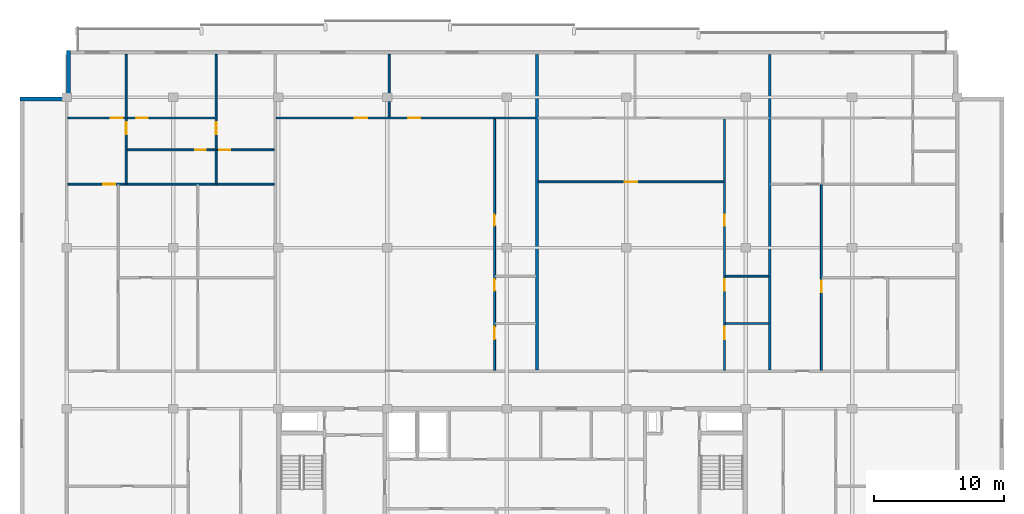
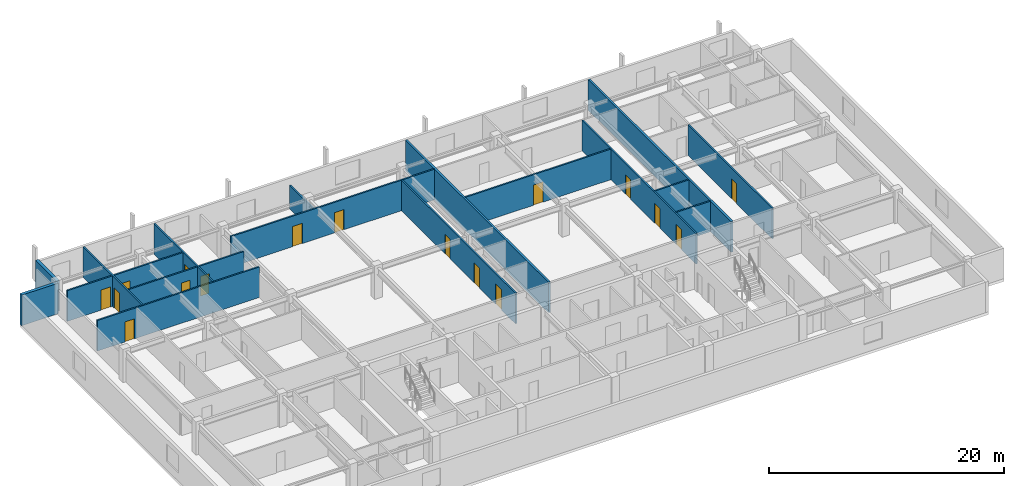
# One storey, part 6 of 10: 18 walls, 17 doors, 17 openings.
"""IFC4 building model written with IfcOpenShell, lengths in metres."""

from ifc_helpers import new_model, si_unit, direction, frame, frame_2d, origin, place, context, subcontext, project, spatial, rectangle, extrude, material, layer, layer_set, type_object, element, fill, save


model = new_model("IFC4")

# Units and contexts
model_context = context("Model", 3, precision=1e-05, world=origin(), true_north=direction((0.0, 1.0)))
body_context = subcontext(model_context, "Body", "Model", "MODEL_VIEW")
ifc_project = project(units=[si_unit("LENGTHUNIT", "METRE"), si_unit("AREAUNIT", "SQUARE_METRE"), si_unit("VOLUMEUNIT", "CUBIC_METRE"), si_unit("PLANEANGLEUNIT", "RADIAN"), si_unit("MASSUNIT", "GRAM", prefix="KILO")], contexts=[model_context])

# Site, building, storey
site_placement = place(None, origin())
site = spatial("IfcSite", under=ifc_project, at=site_placement, CompositionType="ELEMENT")
building_placement = place(site_placement, origin())
building = spatial("IfcBuilding", under=site, at=building_placement, Name="Korimba Cascade Residences", CompositionType="ELEMENT")
storey_placement = place(building_placement, frame((0.0, 0.0, 239.0)))
storey = spatial("IfcBuildingStorey", under=building, at=storey_placement, Name="L69", CompositionType="ELEMENT", Elevation=239.0)

# Walls
ifc_material_1 = material(Name="Precast concrete C40/50", Category="concrete")
ifc_layer_1 = layer(ifc_material_1, 0.300048828125)
ifc_layer_set_1 = layer_set([ifc_layer_1], Name="Precast concrete C40/50")
wall_type_1 = type_object("IfcWallType", Name="EW-STONE-300", PredefinedType="STANDARD", material=ifc_layer_set_1)
for number, where, z_axis, x_axis, name in (
    (1, (59.949951171875, 94.800048828125, 0.0), (0.0, 0.0, 1.0), (0.0, -1.0, 0.0), "L69 T1 Perimeter Stone Wall E07"),
    (2, (59.800048828125, 91.050048828125, 0.0), (0.0, 0.0, 1.0), (-1.0, 0.0, 0.0), "L69 T1 Perimeter Stone Wall E08"),
):
    element("IfcWall", number, at=place(storey_placement, frame(where, z_axis=z_axis, x_axis=x_axis)), inside=storey, type_object=wall_type_1, Name=name, PredefinedType="STANDARD", context=body_context, shape_type="SweptSolid", body=[
        extrude(rectangle(XDim=3.60009765625, YDim=0.300048828125, at=frame_2d((1.800048828125, 0.0))), origin(), (0.0, 0.0, 1.0), 3.169921875),
    ])
ifc_layer_2 = layer(ifc_material_1, 0.199951171875)
ifc_layer_set_2 = layer_set([ifc_layer_2], Name="Precast concrete C40/50")
wall_type_2 = type_object("IfcWallType", Name="WAL-IT-200", PredefinedType="PARTITIONING", material=ifc_layer_set_2)
for number, where, z_axis, x_axis, name in (
    (3, (96.0244140625, 70.179931640625, 0.0), (0.0, 0.0, 1.0), (0.0, 1.0, 0.0), "L69 Partition Wall WAL-L69-T1-DEM-2"),
    (4, (113.96875, 70.179931640625, 0.0), (0.0, 0.0, 1.0), (0.0, 1.0, 0.0), "L69 Partition Wall WAL-L69-T1-DEM-3"),
):
    element("IfcWall", number, at=place(storey_placement, frame(where, z_axis=z_axis, x_axis=x_axis)), inside=storey, type_object=wall_type_2, Name=name, PredefinedType="PARTITIONING", context=body_context, shape_type="SweptSolid", body=[
        extrude(rectangle(XDim=24.320068359375, YDim=0.199951171875, at=frame_2d((12.16015625, 0.0))), origin(), (0.0, 0.0, 1.0), 3.169921875),
    ])

# Wall, opening, door
ifc_material_2 = material(Name="Insulated Acoustic Stud Partition", Category="gypsum")
ifc_layer_3 = layer(ifc_material_2, 0.14990234375)
ifc_layer_set_3 = layer_set([ifc_layer_3], Name="Insulated Acoustic Stud Partition")
wall_type_3 = type_object("IfcWallType", Name="WAL-PART-150", PredefinedType="PARTITIONING", material=ifc_layer_set_3)
wall_1_placement = place(storey_placement, frame((64.3798828125, 84.5400390625, 0.0), z_axis=(0.0, 0.0, 1.0), x_axis=(0.0, 1.0, 0.0)))
wall_1 = element("IfcWall", 5, at=wall_1_placement, inside=storey, type_object=wall_type_3, Name="L69 Partition Wall WAL-L69-T1-U01-V1", PredefinedType="PARTITIONING", context=body_context, shape_type="SweptSolid", body=[
    extrude(rectangle(XDim=9.9599609375, YDim=0.14990234375, at=frame_2d((4.97998046875, 0.0))), origin(), (0.0, 0.0, 1.0), 3.169921875),
])
opening_1_placement = place(wall_1_placement, frame((3.820068359375, 0.0, 0.0)))
opening_1 = element("IfcOpeningElement", 6, at=opening_1_placement, cuts=wall_1, Name="Opening D-IN1", PredefinedType="OPENING", context=body_context, shape_type="SweptSolid", body=[
    extrude(rectangle(XDim=0.919921875, YDim=2.080078125, at=frame_2d((0.4599609375, 1.0400390625))), frame((0.0, 0.0849609375, 0.0), z_axis=(0.0, -1.0, 0.0), x_axis=(1.0, 0.0, 0.0)), (0.0, 0.0, 1.0), 0.169921875),
])
ifc_material_3 = material(Name="Acoustic Timber Living Door", Category="wood")
door_type_1 = type_object("IfcDoorType", Name="DR-INT-920", OperationType="NOTDEFINED", PredefinedType="DOOR", material=ifc_material_3)
door_1_placement = place(opening_1_placement, origin())
door_1 = element("IfcDoor", 7, at=door_1_placement, inside=storey, type_object=door_type_1, Name="L69-T1-U01 Hallway Door", OperationType="SINGLE_SWING_RIGHT", OverallHeight=2.080078125, OverallWidth=0.919921875, PredefinedType="DOOR", context=body_context, shape_type="SweptSolid", body=[
    extrude(rectangle(XDim=0.919921875, YDim=2.080078125, at=frame_2d((0.4599609375, 1.0400390625))), frame((0.0, 0.02490234375, 0.0), z_axis=(0.0, -1.0, 0.0), x_axis=(1.0, 0.0, 0.0)), (0.0, 0.0, 1.0), 0.050048828125),
])
fill(opening_1, door_1)

# Wall
wall_2_placement = place(storey_placement, frame((71.315185546875, 84.5400390625, 0.0), z_axis=(0.0, 0.0, 1.0), x_axis=(0.0, 1.0, 0.0)))
element("IfcWall", 8, at=wall_2_placement, inside=storey, type_object=wall_type_3, Name="L69 Partition Wall WAL-L69-T1-U01-VBATH", PredefinedType="PARTITIONING", context=body_context, shape_type="SweptSolid", body=[
    extrude(rectangle(XDim=2.580078125, YDim=0.14990234375, at=frame_2d((1.2900390625, 0.0))), origin(), (0.0, 0.0, 1.0), 3.169921875),
])

# Wall, opening, door
wall_3_placement = place(storey_placement, frame((71.315185546875, 87.159912109375, 0.0), z_axis=(0.0, 0.0, 1.0), x_axis=(0.0, 1.0, 0.0)))
wall_3 = element("IfcWall", 9, at=wall_3_placement, inside=storey, type_object=wall_type_3, Name="L69 Partition Wall WAL-L69-T1-U01-V2FULL", PredefinedType="PARTITIONING", context=body_context, shape_type="SweptSolid", body=[
    extrude(rectangle(XDim=7.340087890625, YDim=0.14990234375, at=frame_2d((3.669921875, 0.0))), origin(), (0.0, 0.0, 1.0), 3.169921875),
])
opening_2_placement = place(wall_3_placement, frame((1.199951171875, 0.0, 0.0)))
opening_2 = element("IfcOpeningElement", 10, at=opening_2_placement, cuts=wall_3, Name="Opening D-IN1", PredefinedType="OPENING", context=body_context, shape_type="SweptSolid", body=[
    extrude(rectangle(XDim=0.919921875, YDim=2.080078125, at=frame_2d((0.4599609375, 1.0400390625))), frame((0.0, 0.0849609375, 0.0), z_axis=(0.0, -1.0, 0.0), x_axis=(1.0, 0.0, 0.0)), (0.0, 0.0, 1.0), 0.169921875),
])
door_2_placement = place(opening_2_placement, origin())
door_2 = element("IfcDoor", 11, at=door_2_placement, inside=storey, type_object=door_type_1, Name="L69-T1-U01 Master Bedroom Door", OperationType="SINGLE_SWING_LEFT", OverallHeight=2.080078125, OverallWidth=0.919921875, PredefinedType="DOOR", context=body_context, shape_type="SweptSolid", body=[
    extrude(rectangle(XDim=0.919921875, YDim=2.080078125, at=frame_2d((0.4599609375, 1.0400390625))), frame((0.0, 0.02490234375, 0.0), z_axis=(0.0, -1.0, 0.0), x_axis=(1.0, 0.0, 0.0)), (0.0, 0.0, 1.0), 0.050048828125),
])
fill(opening_2, door_2)

# Wall, openings, doors
wall_4_placement = place(storey_placement, frame((64.419921875, 87.139892578125, 0.0), z_axis=(0.0, 0.0, 1.0), x_axis=(1.0, 0.0, 0.0)))
wall_4 = element("IfcWall", 12, at=wall_4_placement, inside=storey, type_object=wall_type_3, Name="L69 Partition Wall WAL-L69-T1-U01-HWALL", PredefinedType="PARTITIONING", context=body_context, shape_type="SweptSolid", body=[
    extrude(rectangle(XDim=11.365234375, YDim=0.14990234375, at=frame_2d((5.6826171875, 0.0))), origin(), (0.0, 0.0, 1.0), 3.169921875),
])
opening_3_placement = place(wall_4_placement, frame((5.262451171875, 0.0, 0.0)))
opening_3 = element("IfcOpeningElement", 13, at=opening_3_placement, cuts=wall_4, Name="Opening D-BT1", PredefinedType="OPENING", context=body_context, shape_type="SweptSolid", body=[
    extrude(rectangle(XDim=0.840087890625, YDim=2.0400390625, at=frame_2d((0.419921875, 1.02001953125))), frame((0.0, 0.0849609375, 0.0), z_axis=(0.0, -1.0, 0.0), x_axis=(1.0, 0.0, 0.0)), (0.0, 0.0, 1.0), 0.169921875),
])
opening_4_placement = place(wall_4_placement, frame((7.14501953125, 0.0, 0.0)))
opening_4 = element("IfcOpeningElement", 14, at=opening_4_placement, cuts=wall_4, Name="Opening D-BT1", PredefinedType="OPENING", context=body_context, shape_type="SweptSolid", body=[
    extrude(rectangle(XDim=0.840087890625, YDim=2.0400390625, at=frame_2d((0.419921875, 1.02001953125))), frame((0.0, 0.0849609375, 0.0), z_axis=(0.0, -1.0, 0.0), x_axis=(1.0, 0.0, 0.0)), (0.0, 0.0, 1.0), 0.169921875),
])
ifc_material_4 = material(Name="Moisture-Resistant Bathroom Timber Door", Category="wood")
door_type_2 = type_object("IfcDoorType", Name="DR-INT-850", OperationType="NOTDEFINED", PredefinedType="DOOR", material=ifc_material_4)
door_3_placement = place(opening_3_placement, origin())
door_3 = element("IfcDoor", 15, at=door_3_placement, inside=storey, type_object=door_type_2, Name="L69-T1-U01 Family Bathroom Door", OperationType="SINGLE_SWING_RIGHT", OverallHeight=2.0400390625, OverallWidth=0.840087890625, PredefinedType="DOOR", context=body_context, shape_type="SweptSolid", body=[
    extrude(rectangle(XDim=0.840087890625, YDim=2.0400390625, at=frame_2d((0.419921875, 1.02001953125))), frame((0.0, 0.02490234375, 0.0), z_axis=(0.0, -1.0, 0.0), x_axis=(1.0, 0.0, 0.0)), (0.0, 0.0, 1.0), 0.050048828125),
])
fill(opening_3, door_3)
door_4_placement = place(opening_4_placement, origin())
door_4 = element("IfcDoor", 16, at=door_4_placement, inside=storey, type_object=door_type_2, Name="L69-T1-U01 En-Suite Door", OperationType="SINGLE_SWING_LEFT", OverallHeight=2.0400390625, OverallWidth=0.840087890625, PredefinedType="DOOR", context=body_context, shape_type="SweptSolid", body=[
    extrude(rectangle(XDim=0.840087890625, YDim=2.0400390625, at=frame_2d((0.419921875, 1.02001953125))), frame((0.0, 0.02490234375, 0.0), z_axis=(0.0, -1.0, 0.0), x_axis=(1.0, 0.0, 0.0)), (0.0, 0.0, 1.0), 0.050048828125),
])
fill(opening_4, door_4)

# Wall, opening, door
wall_5_placement = place(storey_placement, frame((59.8798828125, 84.5, 0.0), z_axis=(0.0, 0.0, 1.0), x_axis=(1.0, 0.0, 0.0)))
wall_5 = element("IfcWall", 17, at=wall_5_placement, inside=storey, type_object=wall_type_3, Name="L69 Partition Wall WAL-L69-T1-U01-MW", PredefinedType="PARTITIONING", context=body_context, shape_type="SweptSolid", body=[
    extrude(rectangle(XDim=15.9052734375, YDim=0.14990234375, at=frame_2d((7.95263671875, 0.0))), origin(), (0.0, 0.0, 1.0), 3.169921875),
])
opening_5_placement = place(wall_5_placement, frame((2.719970703125, 0.0, 0.0)))
opening_5 = element("IfcOpeningElement", 18, at=opening_5_placement, cuts=wall_5, Name="Opening D-IN1", PredefinedType="OPENING", context=body_context, shape_type="SweptSolid", body=[
    extrude(rectangle(XDim=0.919921875, YDim=2.080078125, at=frame_2d((0.4599609375, 1.0400390625))), frame((0.0, 0.0849609375, 0.0), z_axis=(0.0, -1.0, 0.0), x_axis=(1.0, 0.0, 0.0)), (0.0, 0.0, 1.0), 0.169921875),
])
door_5_placement = place(opening_5_placement, origin())
door_5 = element("IfcDoor", 19, at=door_5_placement, inside=storey, type_object=door_type_1, Name="L69-T1-U01 Kitchen Door", OperationType="SINGLE_SWING_RIGHT", OverallHeight=2.080078125, OverallWidth=0.919921875, PredefinedType="DOOR", context=body_context, shape_type="SweptSolid", body=[
    extrude(rectangle(XDim=0.919921875, YDim=2.080078125, at=frame_2d((0.4599609375, 1.0400390625))), frame((0.0, 0.02490234375, 0.0), z_axis=(0.0, -1.0, 0.0), x_axis=(1.0, 0.0, 0.0)), (0.0, 0.0, 1.0), 0.050048828125),
])
fill(opening_5, door_5)

# Wall, openings, doors
wall_6_placement = place(storey_placement, frame((59.8798828125, 89.60009765625, 0.0), z_axis=(0.0, 0.0, 1.0), x_axis=(1.0, 0.0, 0.0)))
wall_6 = element("IfcWall", 20, at=wall_6_placement, inside=storey, type_object=wall_type_3, Name="L69 Partition Wall WAL-L69-T1-U01-HZ", PredefinedType="PARTITIONING", context=body_context, shape_type="SweptSolid", body=[
    extrude(rectangle(XDim=11.435302734375, YDim=0.14990234375, at=frame_2d((5.7177734375, 0.0))), origin(), (0.0, 0.0, 1.0), 3.169921875),
])
opening_6_placement = place(wall_6_placement, frame((3.31005859375, 0.0, 0.0)))
opening_6 = element("IfcOpeningElement", 21, at=opening_6_placement, cuts=wall_6, Name="Opening D-IN0", PredefinedType="OPENING", context=body_context, shape_type="SweptSolid", body=[
    extrude(rectangle(XDim=0.93994140625, YDim=2.10009765625, at=frame_2d((0.469970703125, 1.050048828125))), frame((0.0, 0.0849609375, 0.0), z_axis=(0.0, -1.0, 0.0), x_axis=(1.0, 0.0, 0.0)), (0.0, 0.0, 1.0), 0.169921875),
])
opening_7_placement = place(wall_6_placement, frame((5.277587890625, 0.0, 0.0)))
opening_7 = element("IfcOpeningElement", 22, at=opening_7_placement, cuts=wall_6, Name="Opening D-IN2", PredefinedType="OPENING", context=body_context, shape_type="SweptSolid", body=[
    extrude(rectangle(XDim=0.8798828125, YDim=2.06005859375, at=frame_2d((0.43994140625, 1.030029296875))), frame((0.0, 0.0849609375, 0.0), z_axis=(0.0, -1.0, 0.0), x_axis=(1.0, 0.0, 0.0)), (0.0, 0.0, 1.0), 0.169921875),
])
ifc_material_5 = material(Name="Acoustic Timber Bedroom Door", Category="wood")
door_type_3 = type_object("IfcDoorType", Name="DR-INT-880", OperationType="NOTDEFINED", PredefinedType="DOOR", material=ifc_material_5)
door_6_placement = place(opening_7_placement, origin())
door_6 = element("IfcDoor", 23, at=door_6_placement, inside=storey, type_object=door_type_3, Name="L69-T1-U01 Bedroom 2 Door", OperationType="SINGLE_SWING_RIGHT", OverallHeight=2.06005859375, OverallWidth=0.8798828125, PredefinedType="DOOR", context=body_context, shape_type="SweptSolid", body=[
    extrude(rectangle(XDim=0.8798828125, YDim=2.06005859375, at=frame_2d((0.43994140625, 1.030029296875))), frame((0.0, 0.02490234375, 0.0), z_axis=(0.0, -1.0, 0.0), x_axis=(1.0, 0.0, 0.0)), (0.0, 0.0, 1.0), 0.050048828125),
])
fill(opening_7, door_6)
ifc_material_6 = material(Name="Acoustic Timber Living Archway Door", Category="wood")
door_type_4 = type_object("IfcDoorType", Name="DR-INT-950", OperationType="NOTDEFINED", PredefinedType="DOOR", material=ifc_material_6)
door_7_placement = place(opening_6_placement, origin())
door_7 = element("IfcDoor", 24, at=door_7_placement, inside=storey, type_object=door_type_4, Name="L69-T1-U01 Living Room Door", OperationType="SINGLE_SWING_LEFT", OverallHeight=2.10009765625, OverallWidth=0.93994140625, PredefinedType="DOOR", context=body_context, shape_type="SweptSolid", body=[
    extrude(rectangle(XDim=0.93994140625, YDim=2.10009765625, at=frame_2d((0.469970703125, 1.050048828125))), frame((0.0, 0.02490234375, 0.0), z_axis=(0.0, -1.0, 0.0), x_axis=(1.0, 0.0, 0.0)), (0.0, 0.0, 1.0), 0.050048828125),
])
fill(opening_6, door_7)

wall_7_placement = place(storey_placement, frame((92.75439453125, 70.159912109375, 0.0), z_axis=(0.0, 0.0, 1.0), x_axis=(0.0, 1.0, 0.0)))
wall_7 = element("IfcWall", 25, at=wall_7_placement, inside=storey, type_object=wall_type_3, Name="L69 Partition Wall WAL-L69-T1-U02-WCV", PredefinedType="PARTITIONING", context=body_context, shape_type="SweptSolid", body=[
    extrude(rectangle(XDim=19.380126953125, YDim=0.14990234375, at=frame_2d((9.68994140625, 0.0))), origin(), (0.0, 0.0, 1.0), 3.169921875),
])
opening_8_placement = place(wall_7_placement, frame((2.406005859375, 0.0, 0.0)))
opening_8 = element("IfcOpeningElement", 26, at=opening_8_placement, cuts=wall_7, Name="Opening D-AC1", PredefinedType="OPENING", context=body_context, shape_type="SweptSolid", body=[
    extrude(rectangle(XDim=0.9599609375, YDim=2.10009765625, at=frame_2d((0.47998046875, 1.050048828125))), frame((0.0, 0.0849609375, 0.0), z_axis=(0.0, -1.0, 0.0), x_axis=(1.0, 0.0, 0.0)), (0.0, 0.0, 1.0), 0.169921875),
])
opening_9_placement = place(wall_7_placement, frame((6.132568359375, 0.0, 0.0)))
opening_9 = element("IfcOpeningElement", 27, at=opening_9_placement, cuts=wall_7, Name="Opening D-IN2", PredefinedType="OPENING", context=body_context, shape_type="SweptSolid", body=[
    extrude(rectangle(XDim=0.8798828125, YDim=2.06005859375, at=frame_2d((0.43994140625, 1.030029296875))), frame((0.0, 0.0849609375, 0.0), z_axis=(0.0, -1.0, 0.0), x_axis=(1.0, 0.0, 0.0)), (0.0, 0.0, 1.0), 0.169921875),
])
opening_10_placement = place(wall_7_placement, frame((11.138916015625, 0.0, 0.0)))
opening_10 = element("IfcOpeningElement", 28, at=opening_10_placement, cuts=wall_7, Name="Opening D-BT1", PredefinedType="OPENING", context=body_context, shape_type="SweptSolid", body=[
    extrude(rectangle(XDim=0.840087890625, YDim=2.0400390625, at=frame_2d((0.419921875, 1.02001953125))), frame((0.0, 0.0849609375, 0.0), z_axis=(0.0, -1.0, 0.0), x_axis=(1.0, 0.0, 0.0)), (0.0, 0.0, 1.0), 0.169921875),
])
ifc_material_7 = material(Name="Accessible Acoustic Timber WC Door", Category="wood")
door_type_5 = type_object("IfcDoorType", Name="DR-ACC-950", OperationType="NOTDEFINED", PredefinedType="DOOR", material=ifc_material_7)
door_8_placement = place(opening_8_placement, origin())
door_8 = element("IfcDoor", 29, at=door_8_placement, inside=storey, type_object=door_type_5, Name="L69-T1-U02 Accessible WC Door", OperationType="SINGLE_SWING_LEFT", OverallHeight=2.10009765625, OverallWidth=0.9599609375, PredefinedType="DOOR", context=body_context, shape_type="SweptSolid", body=[
    extrude(rectangle(XDim=0.9599609375, YDim=2.10009765625, at=frame_2d((0.47998046875, 1.050048828125))), frame((0.0, 0.02490234375, 0.0), z_axis=(0.0, -1.0, 0.0), x_axis=(1.0, 0.0, 0.0)), (0.0, 0.0, 1.0), 0.050048828125),
])
fill(opening_8, door_8)
door_9_placement = place(opening_10_placement, origin())
door_9 = element("IfcDoor", 30, at=door_9_placement, inside=storey, type_object=door_type_2, Name="L69-T1-U02 Suite Store Door", OperationType="SINGLE_SWING_LEFT", OverallHeight=2.0400390625, OverallWidth=0.840087890625, PredefinedType="DOOR", context=body_context, shape_type="SweptSolid", body=[
    extrude(rectangle(XDim=0.840087890625, YDim=2.0400390625, at=frame_2d((0.419921875, 1.02001953125))), frame((0.0, 0.02490234375, 0.0), z_axis=(0.0, -1.0, 0.0), x_axis=(1.0, 0.0, 0.0)), (0.0, 0.0, 1.0), 0.050048828125),
])
fill(opening_10, door_9)
door_10_placement = place(opening_9_placement, origin())
door_10 = element("IfcDoor", 31, at=door_10_placement, inside=storey, type_object=door_type_3, Name="L69-T1-U02 Restroom WC Door", OperationType="SINGLE_SWING_RIGHT", OverallHeight=2.06005859375, OverallWidth=0.8798828125, PredefinedType="DOOR", context=body_context, shape_type="SweptSolid", body=[
    extrude(rectangle(XDim=0.8798828125, YDim=2.06005859375, at=frame_2d((0.43994140625, 1.030029296875))), frame((0.0, 0.02490234375, 0.0), z_axis=(0.0, -1.0, 0.0), x_axis=(1.0, 0.0, 0.0)), (0.0, 0.0, 1.0), 0.050048828125),
])
fill(opening_9, door_10)

# Wall
wall_8_placement = place(storey_placement, frame((84.6396484375, 89.679931640625, 0.0), z_axis=(0.0, 0.0, 1.0), x_axis=(0.0, 1.0, 0.0)))
element("IfcWall", 32, at=wall_8_placement, inside=storey, type_object=wall_type_3, Name="L69 Partition Wall WAL-L69-T1-U02-OUTV", PredefinedType="PARTITIONING", context=body_context, shape_type="SweptSolid", body=[
    extrude(rectangle(XDim=4.820068359375, YDim=0.14990234375, at=frame_2d((2.41015625, 0.0))), origin(), (0.0, 0.0, 1.0), 2.47705078125),
])

# Wall, openings, doors
wall_9_placement = place(storey_placement, frame((75.945068359375, 89.60009765625, 0.0), z_axis=(0.0, 0.0, 1.0), x_axis=(1.0, 0.0, 0.0)))
wall_9 = element("IfcWall", 33, at=wall_9_placement, inside=storey, type_object=wall_type_3, Name="L69 Partition Wall WAL-L69-T1-U02-HZ", PredefinedType="PARTITIONING", context=body_context, shape_type="SweptSolid", body=[
    extrude(rectangle(XDim=19.999267578125, YDim=0.14990234375, at=frame_2d((9.99951171875, 0.0))), origin(), (0.0, 0.0, 1.0), 3.169921875),
])
opening_11_placement = place(wall_9_placement, frame((6.0537109375, 0.0, 0.0)))
opening_11 = element("IfcOpeningElement", 34, at=opening_11_placement, cuts=wall_9, Name="Opening D-IN0", PredefinedType="OPENING", context=body_context, shape_type="SweptSolid", body=[
    extrude(rectangle(XDim=0.93994140625, YDim=2.10009765625, at=frame_2d((0.469970703125, 1.050048828125))), frame((0.0, 0.0849609375, 0.0), z_axis=(0.0, -1.0, 0.0), x_axis=(1.0, 0.0, 0.0)), (0.0, 0.0, 1.0), 0.169921875),
])
opening_12_placement = place(wall_9_placement, frame((10.14599609375, 0.0, 0.0)))
opening_12 = element("IfcOpeningElement", 35, at=opening_12_placement, cuts=wall_9, Name="Opening D-IN0", PredefinedType="OPENING", context=body_context, shape_type="SweptSolid", body=[
    extrude(rectangle(XDim=0.93994140625, YDim=2.10009765625, at=frame_2d((0.469970703125, 1.050048828125))), frame((0.0, 0.0849609375, 0.0), z_axis=(0.0, -1.0, 0.0), x_axis=(1.0, 0.0, 0.0)), (0.0, 0.0, 1.0), 0.169921875),
])
door_11_placement = place(opening_11_placement, origin())
door_11 = element("IfcDoor", 36, at=door_11_placement, inside=storey, type_object=door_type_4, Name="L69-T1-U02 Fitness Pilates Gym Door", OperationType="SINGLE_SWING_RIGHT", OverallHeight=2.10009765625, OverallWidth=0.93994140625, PredefinedType="DOOR", context=body_context, shape_type="SweptSolid", body=[
    extrude(rectangle(XDim=0.93994140625, YDim=2.10009765625, at=frame_2d((0.469970703125, 1.050048828125))), frame((0.0, 0.02490234375, 0.0), z_axis=(0.0, -1.0, 0.0), x_axis=(1.0, 0.0, 0.0)), (0.0, 0.0, 1.0), 0.050048828125),
])
fill(opening_11, door_11)
door_12_placement = place(opening_12_placement, origin())
door_12 = element("IfcDoor", 37, at=door_12_placement, inside=storey, type_object=door_type_4, Name="L69-T1-U02 Private Screening Cinema Door", OperationType="SINGLE_SWING_LEFT", OverallHeight=2.10009765625, OverallWidth=0.93994140625, PredefinedType="DOOR", context=body_context, shape_type="SweptSolid", body=[
    extrude(rectangle(XDim=0.93994140625, YDim=2.10009765625, at=frame_2d((0.469970703125, 1.050048828125))), frame((0.0, 0.02490234375, 0.0), z_axis=(0.0, -1.0, 0.0), x_axis=(1.0, 0.0, 0.0)), (0.0, 0.0, 1.0), 0.050048828125),
])
fill(opening_12, door_12)

# Wall, opening, door
wall_10_placement = place(storey_placement, frame((96.104248046875, 84.679931640625, 0.0), z_axis=(0.0, 0.0, 1.0), x_axis=(1.0, 0.0, 0.0)))
wall_10 = element("IfcWall", 38, at=wall_10_placement, inside=storey, type_object=wall_type_3, Name="L69 Partition Wall WAL-L69-T1-U03-CARH", PredefinedType="PARTITIONING", context=body_context, shape_type="SweptSolid", body=[
    extrude(rectangle(XDim=14.324462890625, YDim=0.14990234375, at=frame_2d((7.162109375, 0.0))), origin(), (0.0, 0.0, 1.0), 3.169921875),
])
opening_13_placement = place(wall_10_placement, frame((6.6923828125, 0.0, 0.0)))
opening_13 = element("IfcOpeningElement", 39, at=opening_13_placement, cuts=wall_10, Name="Opening D-IN0", PredefinedType="OPENING", context=body_context, shape_type="SweptSolid", body=[
    extrude(rectangle(XDim=0.93994140625, YDim=2.10009765625, at=frame_2d((0.469970703125, 1.050048828125))), frame((0.0, 0.0849609375, 0.0), z_axis=(0.0, -1.0, 0.0), x_axis=(1.0, 0.0, 0.0)), (0.0, 0.0, 1.0), 0.169921875),
])
door_13_placement = place(opening_13_placement, origin())
door_13 = element("IfcDoor", 40, at=door_13_placement, inside=storey, type_object=door_type_4, Name="L69-T1-U03 Wellness Clinic Foyer Door", OperationType="SINGLE_SWING_RIGHT", OverallHeight=2.10009765625, OverallWidth=0.93994140625, PredefinedType="DOOR", context=body_context, shape_type="SweptSolid", body=[
    extrude(rectangle(XDim=0.93994140625, YDim=2.10009765625, at=frame_2d((0.469970703125, 1.050048828125))), frame((0.0, 0.02490234375, 0.0), z_axis=(0.0, -1.0, 0.0), x_axis=(1.0, 0.0, 0.0)), (0.0, 0.0, 1.0), 0.050048828125),
])
fill(opening_13, door_13)

# Walls
for number, where, z_axis, x_axis, name in (
    (41, (110.52880859375, 73.77001953125, 0.0), (0.0, 0.0, 1.0), (1.0, 0.0, 0.0), "L69 Partition Wall WAL-L69-T1-U03-WCH"),
    (42, (110.52880859375, 77.419921875, 0.0), (0.0, 0.0, 1.0), (1.0, 0.0, 0.0), "L69 Partition Wall WAL-L69-T1-U03-WCH2"),
):
    element("IfcWall", number, at=place(storey_placement, frame(where, z_axis=z_axis, x_axis=x_axis)), inside=storey, type_object=wall_type_3, Name=name, PredefinedType="PARTITIONING", context=body_context, shape_type="SweptSolid", body=[
        extrude(rectangle(XDim=3.360107421875, YDim=0.14990234375, at=frame_2d((1.68017578125, 0.0))), origin(), (0.0, 0.0, 1.0), 3.169921875),
    ])

# Wall, openings, doors
wall_11_placement = place(storey_placement, frame((110.46875, 70.159912109375, 0.0), z_axis=(0.0, 0.0, 1.0), x_axis=(0.0, 1.0, 0.0)))
wall_11 = element("IfcWall", 43, at=wall_11_placement, inside=storey, type_object=wall_type_3, Name="L69 Partition Wall WAL-L69-T1-U03-WCV", PredefinedType="PARTITIONING", context=body_context, shape_type="SweptSolid", body=[
    extrude(rectangle(XDim=19.380126953125, YDim=0.14990234375, at=frame_2d((9.68994140625, 0.0))), origin(), (0.0, 0.0, 1.0), 3.169921875),
])
opening_14_placement = place(wall_11_placement, frame((2.406005859375, 0.0, 0.0)))
opening_14 = element("IfcOpeningElement", 44, at=opening_14_placement, cuts=wall_11, Name="Opening D-AC1", PredefinedType="OPENING", context=body_context, shape_type="SweptSolid", body=[
    extrude(rectangle(XDim=0.9599609375, YDim=2.10009765625, at=frame_2d((0.47998046875, 1.050048828125))), frame((0.0, 0.0849609375, 0.0), z_axis=(0.0, -1.0, 0.0), x_axis=(1.0, 0.0, 0.0)), (0.0, 0.0, 1.0), 0.169921875),
])
opening_15_placement = place(wall_11_placement, frame((6.132568359375, 0.0, 0.0)))
opening_15 = element("IfcOpeningElement", 45, at=opening_15_placement, cuts=wall_11, Name="Opening D-IN2", PredefinedType="OPENING", context=body_context, shape_type="SweptSolid", body=[
    extrude(rectangle(XDim=0.8798828125, YDim=2.06005859375, at=frame_2d((0.43994140625, 1.030029296875))), frame((0.0, 0.0849609375, 0.0), z_axis=(0.0, -1.0, 0.0), x_axis=(1.0, 0.0, 0.0)), (0.0, 0.0, 1.0), 0.169921875),
])
opening_16_placement = place(wall_11_placement, frame((11.138916015625, 0.0, 0.0)))
opening_16 = element("IfcOpeningElement", 46, at=opening_16_placement, cuts=wall_11, Name="Opening D-BT1", PredefinedType="OPENING", context=body_context, shape_type="SweptSolid", body=[
    extrude(rectangle(XDim=0.840087890625, YDim=2.0400390625, at=frame_2d((0.419921875, 1.02001953125))), frame((0.0, 0.0849609375, 0.0), z_axis=(0.0, -1.0, 0.0), x_axis=(1.0, 0.0, 0.0)), (0.0, 0.0, 1.0), 0.169921875),
])
door_14_placement = place(opening_14_placement, origin())
door_14 = element("IfcDoor", 47, at=door_14_placement, inside=storey, type_object=door_type_5, Name="L69-T1-U03 Accessible WC Door", OperationType="SINGLE_SWING_LEFT", OverallHeight=2.10009765625, OverallWidth=0.9599609375, PredefinedType="DOOR", context=body_context, shape_type="SweptSolid", body=[
    extrude(rectangle(XDim=0.9599609375, YDim=2.10009765625, at=frame_2d((0.47998046875, 1.050048828125))), frame((0.0, 0.02490234375, 0.0), z_axis=(0.0, -1.0, 0.0), x_axis=(1.0, 0.0, 0.0)), (0.0, 0.0, 1.0), 0.050048828125),
])
fill(opening_14, door_14)
door_15_placement = place(opening_16_placement, origin())
door_15 = element("IfcDoor", 48, at=door_15_placement, inside=storey, type_object=door_type_2, Name="L69-T1-U03 Suite Store Door", OperationType="SINGLE_SWING_LEFT", OverallHeight=2.0400390625, OverallWidth=0.840087890625, PredefinedType="DOOR", context=body_context, shape_type="SweptSolid", body=[
    extrude(rectangle(XDim=0.840087890625, YDim=2.0400390625, at=frame_2d((0.419921875, 1.02001953125))), frame((0.0, 0.02490234375, 0.0), z_axis=(0.0, -1.0, 0.0), x_axis=(1.0, 0.0, 0.0)), (0.0, 0.0, 1.0), 0.050048828125),
])
fill(opening_16, door_15)
door_16_placement = place(opening_15_placement, origin())
door_16 = element("IfcDoor", 49, at=door_16_placement, inside=storey, type_object=door_type_3, Name="L69-T1-U03 Restroom WC Door", OperationType="SINGLE_SWING_RIGHT", OverallHeight=2.06005859375, OverallWidth=0.8798828125, PredefinedType="DOOR", context=body_context, shape_type="SweptSolid", body=[
    extrude(rectangle(XDim=0.8798828125, YDim=2.06005859375, at=frame_2d((0.43994140625, 1.030029296875))), frame((0.0, 0.02490234375, 0.0), z_axis=(0.0, -1.0, 0.0), x_axis=(1.0, 0.0, 0.0)), (0.0, 0.0, 1.0), 0.050048828125),
])
fill(opening_15, door_16)

# Wall, opening, door
wall_12_placement = place(storey_placement, frame((117.938720703125, 70.159912109375, 0.0), z_axis=(0.0, 0.0, 1.0), x_axis=(0.0, 1.0, 0.0)))
wall_12 = element("IfcWall", 50, at=wall_12_placement, inside=storey, type_object=wall_type_3, Name="L69 Partition Wall WAL-L69-T1-U04-FV", PredefinedType="PARTITIONING", context=body_context, shape_type="SweptSolid", body=[
    extrude(rectangle(XDim=14.300048828125, YDim=0.14990234375, at=frame_2d((7.14990234375, 0.0))), origin(), (0.0, 0.0, 1.0), 3.169921875),
])
opening_17_placement = place(wall_12_placement, frame((6.02001953125, 0.0, 0.0)))
opening_17 = element("IfcOpeningElement", 51, at=opening_17_placement, cuts=wall_12, Name="Opening D-IN2", PredefinedType="OPENING", context=body_context, shape_type="SweptSolid", body=[
    extrude(rectangle(XDim=0.8798828125, YDim=2.06005859375, at=frame_2d((0.43994140625, 1.030029296875))), frame((0.0, 0.0849609375, 0.0), z_axis=(0.0, -1.0, 0.0), x_axis=(1.0, 0.0, 0.0)), (0.0, 0.0, 1.0), 0.169921875),
])
door_17_placement = place(opening_17_placement, origin())
door_17 = element("IfcDoor", 52, at=door_17_placement, inside=storey, type_object=door_type_3, Name="L69-T1-U04 Media Lounge Door", OperationType="SINGLE_SWING_RIGHT", OverallHeight=2.06005859375, OverallWidth=0.8798828125, PredefinedType="DOOR", context=body_context, shape_type="SweptSolid", body=[
    extrude(rectangle(XDim=0.8798828125, YDim=2.06005859375, at=frame_2d((0.43994140625, 1.030029296875))), frame((0.0, 0.02490234375, 0.0), z_axis=(0.0, -1.0, 0.0), x_axis=(1.0, 0.0, 0.0)), (0.0, 0.0, 1.0), 0.050048828125),
])
fill(opening_17, door_17)

save(model, "model.ifc")
